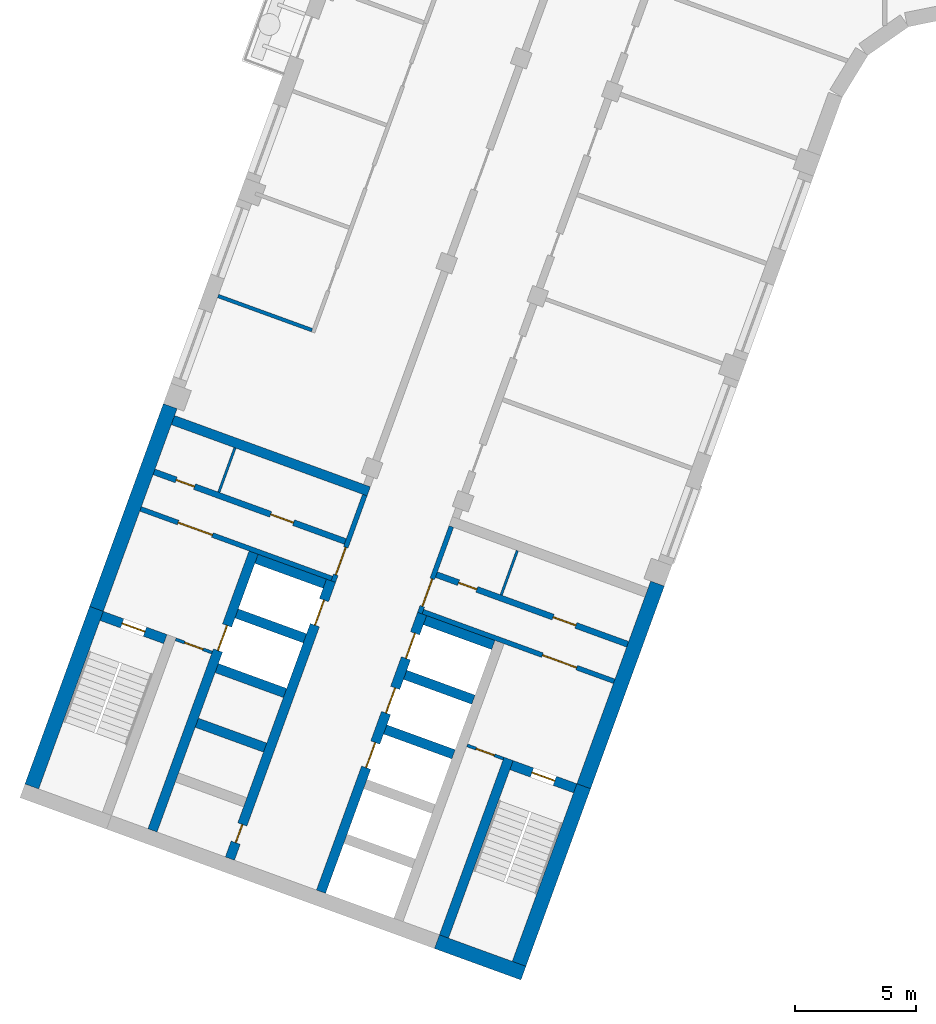
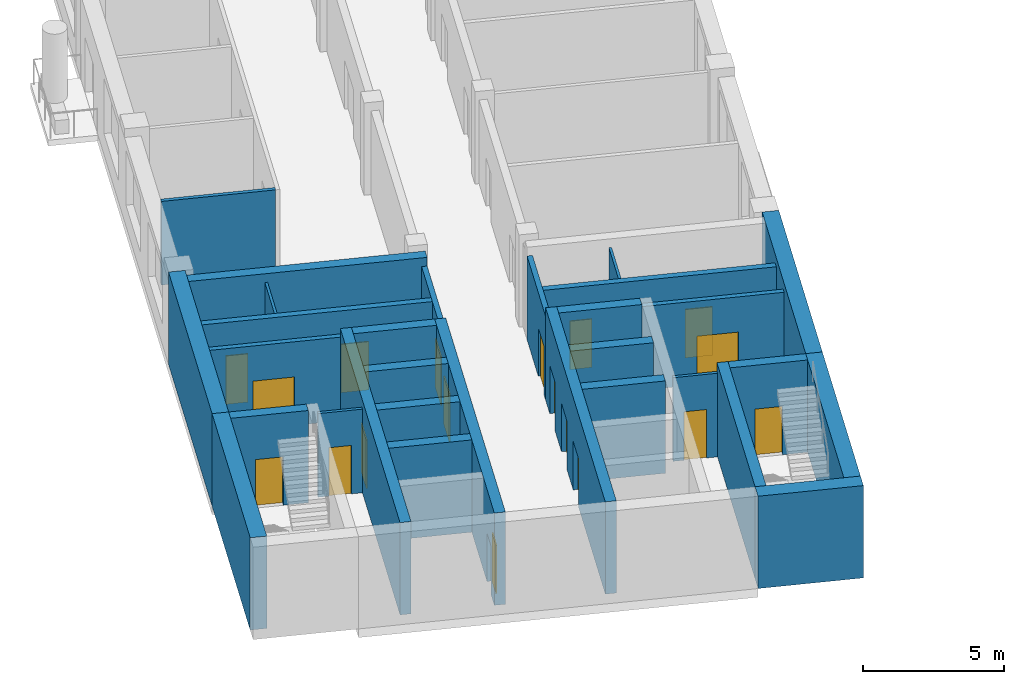
# One storey, part 2 of 15: 30 walls, 18 doors, 18 openings.
"""IFC4 building model written with IfcOpenShell, lengths in metres."""

from ifc_helpers import new_model, si_unit, direction, frame, frame_2d, origin, place, context, subcontext, project, spatial, rectangle, extrude, material, layer, layer_set, type_object, element, fill, save


model = new_model("IFC4")

# Units and contexts
model_context = context("Model", 3, precision=1e-05, world=origin(), true_north=direction((0.0, 1.0)))
body_context = subcontext(model_context, "Body", "Model", "MODEL_VIEW")
ifc_project = project(units=[si_unit("LENGTHUNIT", "METRE"), si_unit("AREAUNIT", "SQUARE_METRE"), si_unit("VOLUMEUNIT", "CUBIC_METRE"), si_unit("PLANEANGLEUNIT", "RADIAN"), si_unit("MASSUNIT", "GRAM", prefix="KILO")], contexts=[model_context])

# Site, building, storey
site_placement = place(None, origin())
site = spatial("IfcSite", under=ifc_project, at=site_placement, CompositionType="ELEMENT")
building_placement = place(site_placement, origin())
building = spatial("IfcBuilding", under=site, at=building_placement, Name="Skarvind Civic Tower", CompositionType="ELEMENT")
storey_placement = place(building_placement, frame((0.0, 0.0, 55.5)))
storey = spatial("IfcBuildingStorey", under=building, at=storey_placement, Name="L12", CompositionType="ELEMENT", Elevation=55.5)

# Wall, opening, door
ifc_material_1 = material(Name="Fire-rated masonry partition", Category="masonry")
ifc_layer_1 = layer(ifc_material_1, 0.199951171875)
ifc_layer_set_1 = layer_set([ifc_layer_1], Name="Core enclosure wall 200")
wall_type_1 = type_object("IfcWallType", Name="Core enclosure wall 200", PredefinedType="PARTITIONING", material=ifc_layer_set_1)
wall_1_placement = place(storey_placement, frame((31.491455078125, 93.693359375, 0.0), z_axis=(0.0, 0.0, 1.0), x_axis=(0.341995824804, 0.939701471648, 0.0)))
wall_1 = element("IfcWall", 1, at=wall_1_placement, inside=storey, type_object=wall_type_1, Name="Core wall C2", PredefinedType="PARTITIONING", context=body_context, shape_type="SweptSolid", body=[
    extrude(rectangle(XDim=3.800048828125, YDim=0.199951171875, at=frame_2d((1.89990234375, 0.0))), origin(), (0.0, 0.0, 1.0), 3.625),
])
opening_1_placement = place(wall_1_placement, frame((0.300048828125, 0.0, 0.0)))
opening_1 = element("IfcOpeningElement", 2, at=opening_1_placement, cuts=wall_1, Name="Opening D-L12-C2-06", PredefinedType="OPENING", context=body_context, shape_type="SweptSolid", body=[
    extrude(rectangle(XDim=1.199951171875, YDim=2.10009765625, at=frame_2d((0.60009765625, 1.050048828125))), frame((0.0, 0.10986328125, 0.0), z_axis=(0.0, -1.0, 0.0), x_axis=(1.0, 0.0, 0.0)), (0.0, 0.0, 1.0), 0.219970703125),
])
ifc_material_2 = material(Name="Fire-rated steel door", Category="steel")
door_type_1 = type_object("IfcDoorType", Name="Core lobby door 1200", OperationType="NOTDEFINED", PredefinedType="DOOR", material=ifc_material_2)
door_1_placement = place(opening_1_placement, origin())
door_1 = element("IfcDoor", 3, at=door_1_placement, inside=storey, type_object=door_type_1, Name="Fire door", OperationType="DOUBLE_DOOR_SINGLE_SWING", OverallHeight=2.10009765625, OverallWidth=1.199951171875, PredefinedType="DOOR", context=body_context, shape_type="SweptSolid", body=[
    extrude(rectangle(XDim=1.199951171875, YDim=2.10009765625, at=frame_2d((0.60009765625, 1.050048828125))), frame((0.0, 0.02490234375, 0.0), z_axis=(0.0, -1.0, 0.0), x_axis=(1.0, 0.0, 0.0)), (0.0, 0.0, 1.0), 0.050048828125),
])
fill(opening_1, door_1)

wall_2_placement = place(storey_placement, frame((23.5380859375, 96.6943359375, 0.0), z_axis=(0.0, 0.0, 1.0), x_axis=(0.939691552312, -0.342023078919, 0.0)))
wall_2 = element("IfcWall", 4, at=wall_2_placement, inside=storey, type_object=wall_type_1, Name="Core wall C2", PredefinedType="PARTITIONING", context=body_context, shape_type="SweptSolid", body=[
    extrude(rectangle(XDim=8.400146484375, YDim=0.199951171875, at=frame_2d((4.2001953125, 0.0))), origin(), (0.0, 0.0, 1.0), 3.625),
])
opening_2_placement = place(wall_2_placement, frame((1.64990234375, 0.0, 0.0)))
opening_2 = element("IfcOpeningElement", 5, at=opening_2_placement, cuts=wall_2, Name="Opening D-L12-C2-07", PredefinedType="OPENING", context=body_context, shape_type="SweptSolid", body=[
    extrude(rectangle(XDim=1.5, YDim=2.10009765625, at=frame_2d((0.75, 1.050048828125))), frame((0.0, 0.10986328125, 0.0), z_axis=(0.0, -1.0, 0.0), x_axis=(1.0, 0.0, 0.0)), (0.0, 0.0, 1.0), 0.219970703125),
])
door_type_2 = type_object("IfcDoorType", Name="Fire door 1500", OperationType="NOTDEFINED", PredefinedType="DOOR", material=ifc_material_2)
door_2_placement = place(opening_2_placement, origin())
door_2 = element("IfcDoor", 6, at=door_2_placement, inside=storey, type_object=door_type_2, Name="Fire door", OperationType="DOUBLE_DOOR_SINGLE_SWING", OverallHeight=2.10009765625, OverallWidth=1.5, PredefinedType="DOOR", context=body_context, shape_type="SweptSolid", body=[
    extrude(rectangle(XDim=1.5, YDim=2.10009765625, at=frame_2d((0.75, 1.050048828125))), frame((0.0, 0.02490234375, 0.0), z_axis=(0.0, -1.0, 0.0), x_axis=(1.0, 0.0, 0.0)), (0.0, 0.0, 1.0), 0.050048828125),
])
fill(opening_2, door_2)

wall_3_placement = place(storey_placement, frame((36.36181640625, 95.96435546875, 0.0), z_axis=(0.0, 0.0, 1.0), x_axis=(-0.341995824804, -0.939701471648, 0.0)))
wall_3 = element("IfcWall", 7, at=wall_3_placement, inside=storey, type_object=wall_type_1, Name="Core wall C2", PredefinedType="PARTITIONING", context=body_context, shape_type="SweptSolid", body=[
    extrude(rectangle(XDim=3.800048828125, YDim=0.199951171875, at=frame_2d((1.89990234375, 0.0))), origin(), (0.0, 0.0, 1.0), 3.625),
])
opening_3_placement = place(wall_3_placement, frame((2.300048828125, 0.0, 0.0)))
opening_3 = element("IfcOpeningElement", 8, at=opening_3_placement, cuts=wall_3, Name="Opening D-L12-C2-12", PredefinedType="OPENING", context=body_context, shape_type="SweptSolid", body=[
    extrude(rectangle(XDim=1.199951171875, YDim=2.10009765625, at=frame_2d((0.60009765625, 1.050048828125))), frame((0.0, 0.10986328125, 0.0), z_axis=(0.0, -1.0, 0.0), x_axis=(1.0, 0.0, 0.0)), (0.0, 0.0, 1.0), 0.219970703125),
])
door_3_placement = place(opening_3_placement, origin())
door_3 = element("IfcDoor", 9, at=door_3_placement, inside=storey, type_object=door_type_1, Name="Fire door", OperationType="DOUBLE_DOOR_SINGLE_SWING", OverallHeight=2.10009765625, OverallWidth=1.199951171875, PredefinedType="DOOR", context=body_context, shape_type="SweptSolid", body=[
    extrude(rectangle(XDim=1.199951171875, YDim=2.10009765625, at=frame_2d((0.60009765625, 1.050048828125))), frame((0.0, 0.02490234375, 0.0), z_axis=(0.0, -1.0, 0.0), x_axis=(1.0, 0.0, 0.0)), (0.0, 0.0, 1.0), 0.050048828125),
])
fill(opening_3, door_3)

wall_4_placement = place(storey_placement, frame((35.1904296875, 92.453369140625, 0.0), z_axis=(0.0, 0.0, 1.0), x_axis=(0.939691552312, -0.342023078919, 0.0)))
wall_4 = element("IfcWall", 10, at=wall_4_placement, inside=storey, type_object=wall_type_1, Name="Core wall C2", PredefinedType="PARTITIONING", context=body_context, shape_type="SweptSolid", body=[
    extrude(rectangle(XDim=8.400146484375, YDim=0.199951171875, at=frame_2d((4.2001953125, 0.0))), origin(), (0.0, 0.0, 1.0), 3.625),
])
opening_4_placement = place(wall_4_placement, frame((5.25, 0.0, 0.0)))
opening_4 = element("IfcOpeningElement", 11, at=opening_4_placement, cuts=wall_4, Name="Opening D-L12-C2-13", PredefinedType="OPENING", context=body_context, shape_type="SweptSolid", body=[
    extrude(rectangle(XDim=1.5, YDim=2.10009765625, at=frame_2d((0.75, 1.050048828125))), frame((0.0, 0.10986328125, 0.0), z_axis=(0.0, -1.0, 0.0), x_axis=(1.0, 0.0, 0.0)), (0.0, 0.0, 1.0), 0.219970703125),
])
door_4_placement = place(opening_4_placement, origin())
door_4 = element("IfcDoor", 12, at=door_4_placement, inside=storey, type_object=door_type_2, Name="Fire door", OperationType="DOUBLE_DOOR_SINGLE_SWING", OverallHeight=2.10009765625, OverallWidth=1.5, PredefinedType="DOOR", context=body_context, shape_type="SweptSolid", body=[
    extrude(rectangle(XDim=1.5, YDim=2.10009765625, at=frame_2d((0.75, 1.050048828125))), frame((0.0, 0.02490234375, 0.0), z_axis=(0.0, -1.0, 0.0), x_axis=(1.0, 0.0, 0.0)), (0.0, 0.0, 1.0), 0.050048828125),
])
fill(opening_4, door_4)

# Walls
ifc_material_3 = material(Name="Fire-rated plasterboard partition")
ifc_layer_2 = layer(ifc_material_3, 0.10009765625)
ifc_layer_set_2 = layer_set([ifc_layer_2], Name="Core partition wall 100")
wall_type_2 = type_object("IfcWallType", Name="Core partition wall 100", PredefinedType="PARTITIONING", material=ifc_layer_set_2)
for number, where, z_axis, x_axis, name in (
    (13, (26.767822265625, 97.381103515625, 0.0), (0.0, 0.0, 1.0), (0.342024501273, 0.939691034611, 0.0), "Core wall C2"),
    (14, (39.087158203125, 94.97265625, 0.0), (0.0, 0.0, 1.0), (-0.342024501273, -0.939691034611, 0.0), "Core wall C2"),
):
    element("IfcWall", number, at=place(storey_placement, frame(where, z_axis=z_axis, x_axis=x_axis)), inside=storey, type_object=wall_type_2, Name=name, PredefinedType="PARTITIONING", context=body_context, shape_type="SweptSolid", body=[
        extrude(rectangle(XDim=1.9501953125, YDim=0.10009765625, at=frame_2d((0.97509765625, 0.0))), origin(), (0.0, 0.0, 1.0), 3.625),
    ])
ifc_material_4 = material(Name="Concrete C80", Category="concrete")
ifc_layer_3 = layer(ifc_material_4, 0.39990234375)
ifc_layer_set_3 = layer_set([ifc_layer_3], Name="Core wall 400 C80")
wall_type_3 = type_object("IfcWallType", Name="Core wall 400 C80", PredefinedType="SHEAR", material=ifc_layer_set_3)
wall_5_placement = place(storey_placement, frame((36.057861328125, 79.04833984375, 0.0), z_axis=(0.0, 0.0, 1.0), x_axis=(0.342016982193, 0.939693771338, 0.0)))
element("IfcWall", 15, at=wall_5_placement, inside=storey, type_object=wall_type_3, Name="Core wall C2 south stair inner L12", PredefinedType="SHEAR", context=body_context, shape_type="SweptSolid", body=[
    extrude(rectangle(XDim=7.800048828125, YDim=0.39990234375, at=frame_2d((3.89990234375, 0.0))), origin(), (0.0, 0.0, 1.0), 4.0),
])

# Wall, opening, door
wall_6_placement = place(storey_placement, frame((41.476318359375, 85.163818359375, 0.0), z_axis=(0.0, 0.0, 1.0), x_axis=(-0.939678810556, 0.342058084236, 0.0)))
wall_6 = element("IfcWall", 16, at=wall_6_placement, inside=storey, type_object=wall_type_3, Name="Core wall C2 south stair end L12", PredefinedType="SHEAR", context=body_context, shape_type="SweptSolid", body=[
    extrude(rectangle(XDim=2.800048828125, YDim=0.39990234375, at=frame_2d((1.39990234375, 0.0))), origin(), (0.0, 0.0, 1.0), 4.0),
])
opening_5_placement = place(wall_6_placement, frame((0.89990234375, 0.0, 0.0)))
opening_5 = element("IfcOpeningElement", 17, at=opening_5_placement, cuts=wall_6, Name="Opening D-L12-C2-14", PredefinedType="OPENING", context=body_context, shape_type="SweptSolid", body=[
    extrude(rectangle(XDim=1.0, YDim=2.10009765625, at=frame_2d((0.5, 1.050048828125))), frame((0.0, 0.2099609375, 0.0), z_axis=(0.0, -1.0, 0.0), x_axis=(1.0, 0.0, 0.0)), (0.0, 0.0, 1.0), 0.419921875),
])
door_type_3 = type_object("IfcDoorType", Name="Fire door 1000", OperationType="NOTDEFINED", PredefinedType="DOOR", material=ifc_material_2)
door_5_placement = place(opening_5_placement, origin())
door_5 = element("IfcDoor", 18, at=door_5_placement, inside=storey, type_object=door_type_3, Name="Fire door", OperationType="SINGLE_SWING_RIGHT", OverallHeight=2.10009765625, OverallWidth=1.0, PredefinedType="DOOR", context=body_context, shape_type="SweptSolid", body=[
    extrude(rectangle(XDim=1.0, YDim=2.10009765625, at=frame_2d((0.5, 1.050048828125))), frame((0.0, 0.02490234375, 0.0), z_axis=(0.0, -1.0, 0.0), x_axis=(1.0, 0.0, 0.0)), (0.0, 0.0, 1.0), 0.050048828125),
])
fill(opening_5, door_5)

wall_7_placement = place(storey_placement, frame((24.56201171875, 91.3203125, 0.0), z_axis=(0.0, 0.0, 1.0), x_axis=(-0.939717030584, 0.341953070509, 0.0)))
wall_7 = element("IfcWall", 19, at=wall_7_placement, inside=storey, type_object=wall_type_3, Name="Core wall C2 north stair end L12", PredefinedType="SHEAR", context=body_context, shape_type="SweptSolid", body=[
    extrude(rectangle(XDim=2.800048828125, YDim=0.39990234375, at=frame_2d((1.39990234375, 0.0))), origin(), (0.0, 0.0, 1.0), 4.0),
])
opening_6_placement = place(wall_7_placement, frame((0.89990234375, 0.0, 0.0)))
opening_6 = element("IfcOpeningElement", 20, at=opening_6_placement, cuts=wall_7, Name="Opening D-L12-C2-08", PredefinedType="OPENING", context=body_context, shape_type="SweptSolid", body=[
    extrude(rectangle(XDim=1.0, YDim=2.10009765625, at=frame_2d((0.5, 1.050048828125))), frame((0.0, 0.2099609375, 0.0), z_axis=(0.0, -1.0, 0.0), x_axis=(1.0, 0.0, 0.0)), (0.0, 0.0, 1.0), 0.419921875),
])
door_6_placement = place(opening_6_placement, origin())
door_6 = element("IfcDoor", 21, at=door_6_placement, inside=storey, type_object=door_type_3, Name="Fire door", OperationType="SINGLE_SWING_LEFT", OverallHeight=2.10009765625, OverallWidth=1.0, PredefinedType="DOOR", context=body_context, shape_type="SweptSolid", body=[
    extrude(rectangle(XDim=1.0, YDim=2.10009765625, at=frame_2d((0.5, 1.050048828125))), frame((0.0, 0.02490234375, 0.0), z_axis=(0.0, -1.0, 0.0), x_axis=(1.0, 0.0, 0.0)), (0.0, 0.0, 1.0), 0.050048828125),
])
fill(opening_6, door_6)

# Wall, openings, doors
wall_8_placement = place(storey_placement, frame((30.983642578125, 80.895263671875, 0.0), z_axis=(0.0, 0.0, 1.0), x_axis=(0.342021021735, 0.939692301071, 0.0)))
wall_8 = element("IfcWall", 22, at=wall_8_placement, inside=storey, type_object=wall_type_3, Name="Core wall C2 south lift row front L12", PredefinedType="SHEAR", context=body_context, shape_type="SweptSolid", body=[
    extrude(rectangle(XDim=12.199951171875, YDim=0.39990234375, at=frame_2d((6.10009765625, 0.0))), origin(), (0.0, 0.0, 1.0), 4.0),
])
opening_7_placement = place(wall_8_placement, frame((5.449951171875, 0.0, 0.0)))
opening_7 = element("IfcOpeningElement", 23, at=opening_7_placement, cuts=wall_8, Name="Opening LD14208", PredefinedType="OPENING", context=body_context, shape_type="SweptSolid", body=[
    extrude(rectangle(XDim=1.10009765625, YDim=2.10009765625, at=frame_2d((0.550048828125, 1.050048828125))), frame((0.0, 0.2099609375, 0.0), z_axis=(0.0, -1.0, 0.0), x_axis=(1.0, 0.0, 0.0)), (0.0, 0.0, 1.0), 0.419921875),
])
opening_8_placement = place(wall_8_placement, frame((7.85009765625, 0.0, 0.0)))
opening_8 = element("IfcOpeningElement", 24, at=opening_8_placement, cuts=wall_8, Name="Opening LD14209", PredefinedType="OPENING", context=body_context, shape_type="SweptSolid", body=[
    extrude(rectangle(XDim=1.10009765625, YDim=2.10009765625, at=frame_2d((0.550048828125, 1.050048828125))), frame((0.0, 0.2099609375, 0.0), z_axis=(0.0, -1.0, 0.0), x_axis=(1.0, 0.0, 0.0)), (0.0, 0.0, 1.0), 0.419921875),
])
opening_9_placement = place(wall_8_placement, frame((10.25, 0.0, 0.0)))
opening_9 = element("IfcOpeningElement", 25, at=opening_9_placement, cuts=wall_8, Name="Opening LD14210", PredefinedType="OPENING", context=body_context, shape_type="SweptSolid", body=[
    extrude(rectangle(XDim=1.10009765625, YDim=2.10009765625, at=frame_2d((0.550048828125, 1.050048828125))), frame((0.0, 0.2099609375, 0.0), z_axis=(0.0, -1.0, 0.0), x_axis=(1.0, 0.0, 0.0)), (0.0, 0.0, 1.0), 0.419921875),
])
ifc_material_5 = material(Name="Stainless steel landing door", Category="steel")
door_type_4 = type_object("IfcDoorType", Name="Lift landing door 1100", OperationType="DOUBLE_DOOR_SLIDING", PredefinedType="DOOR", material=ifc_material_5)
door_7_placement = place(opening_7_placement, origin())
door_7 = element("IfcDoor", 26, at=door_7_placement, inside=storey, type_object=door_type_4, Name="Lift landing door", OperationType="DOUBLE_DOOR_SLIDING", OverallHeight=2.10009765625, OverallWidth=1.10009765625, PredefinedType="DOOR", context=body_context, shape_type="SweptSolid", body=[
    extrude(rectangle(XDim=1.10009765625, YDim=2.10009765625, at=frame_2d((0.550048828125, 1.050048828125))), frame((0.0, 0.02490234375, 0.0), z_axis=(0.0, -1.0, 0.0), x_axis=(1.0, 0.0, 0.0)), (0.0, 0.0, 1.0), 0.050048828125),
])
fill(opening_7, door_7)
door_8_placement = place(opening_8_placement, origin())
door_8 = element("IfcDoor", 27, at=door_8_placement, inside=storey, type_object=door_type_4, Name="Lift landing door", OperationType="DOUBLE_DOOR_SLIDING", OverallHeight=2.10009765625, OverallWidth=1.10009765625, PredefinedType="DOOR", context=body_context, shape_type="SweptSolid", body=[
    extrude(rectangle(XDim=1.10009765625, YDim=2.10009765625, at=frame_2d((0.550048828125, 1.050048828125))), frame((0.0, 0.02490234375, 0.0), z_axis=(0.0, -1.0, 0.0), x_axis=(1.0, 0.0, 0.0)), (0.0, 0.0, 1.0), 0.050048828125),
])
fill(opening_8, door_8)
door_9_placement = place(opening_9_placement, origin())
door_9 = element("IfcDoor", 28, at=door_9_placement, inside=storey, type_object=door_type_4, Name="Lift landing door", OperationType="DOUBLE_DOOR_SLIDING", OverallHeight=2.10009765625, OverallWidth=1.10009765625, PredefinedType="DOOR", context=body_context, shape_type="SweptSolid", body=[
    extrude(rectangle(XDim=1.10009765625, YDim=2.10009765625, at=frame_2d((0.550048828125, 1.050048828125))), frame((0.0, 0.02490234375, 0.0), z_axis=(0.0, -1.0, 0.0), x_axis=(1.0, 0.0, 0.0)), (0.0, 0.0, 1.0), 0.050048828125),
])
fill(opening_9, door_9)

# Walls
for number, where, z_axis, x_axis, name in (
    (29, (36.453125, 86.56640625, 0.0), (0.0, 0.0, 1.0), (-0.939686455819, 0.342037080957, 0.0), "Core wall C2 south lift row division 3 L12"),
    (30, (37.27392578125, 88.82177734375, 0.0), (0.0, 0.0, 1.0), (-0.939686455819, 0.342037080957, 0.0), "Core wall C2 south lift row division 4 L12"),
):
    element("IfcWall", number, at=place(storey_placement, frame(where, z_axis=z_axis, x_axis=x_axis)), inside=storey, type_object=wall_type_3, Name=name, PredefinedType="SHEAR", context=body_context, shape_type="SweptSolid", body=[
        extrude(rectangle(XDim=3.0, YDim=0.39990234375, at=frame_2d((1.5, 0.0))), origin(), (0.0, 0.0, 1.0), 4.0),
    ])
wall_9_placement = place(storey_placement, frame((38.0947265625, 91.076904296875, 0.0), z_axis=(0.0, 0.0, 1.0), x_axis=(-0.939676934218, 0.342063238742, 0.0)))
element("IfcWall", 31, at=wall_9_placement, inside=storey, type_object=wall_type_3, Name="Core wall C2 south lift row division 5 L12", PredefinedType="SHEAR", context=body_context, shape_type="SweptSolid", body=[
    extrude(rectangle(XDim=2.999755859375, YDim=0.39990234375, at=frame_2d((1.5, 0.0))), origin(), (0.0, 0.0, 1.0), 4.0),
])

# Wall, openings, doors
wall_10_placement = place(storey_placement, frame((27.224853515625, 82.26318359375, 0.0), z_axis=(0.0, 0.0, 1.0), x_axis=(0.342014590177, 0.939694641948, 0.0)))
wall_10 = element("IfcWall", 32, at=wall_10_placement, inside=storey, type_object=wall_type_3, Name="Core wall C2 north lift row front L12", PredefinedType="SHEAR", context=body_context, shape_type="SweptSolid", body=[
    extrude(rectangle(XDim=12.2001953125, YDim=0.39990234375, at=frame_2d((6.10009765625, 0.0))), origin(), (0.0, 0.0, 1.0), 4.0),
])
opening_10_placement = place(wall_10_placement, frame((10.25, 0.0, 0.0)))
opening_10 = element("IfcOpeningElement", 33, at=opening_10_placement, cuts=wall_10, Name="Opening LD14205", PredefinedType="OPENING", context=body_context, shape_type="SweptSolid", body=[
    extrude(rectangle(XDim=1.10009765625, YDim=2.10009765625, at=frame_2d((0.550048828125, 1.050048828125))), frame((0.0, 0.2099609375, 0.0), z_axis=(0.0, -1.0, 0.0), x_axis=(1.0, 0.0, 0.0)), (0.0, 0.0, 1.0), 0.419921875),
])
opening_11_placement = place(wall_10_placement, frame((0.699951171875, 0.0, 0.0)))
opening_11 = element("IfcOpeningElement", 34, at=opening_11_placement, cuts=wall_10, Name="Opening D-L12-C2-05", PredefinedType="OPENING", context=body_context, shape_type="SweptSolid", body=[
    extrude(rectangle(XDim=0.800048828125, YDim=2.10009765625, at=frame_2d((0.39990234375, 1.050048828125))), frame((0.0, 0.2099609375, 0.0), z_axis=(0.0, -1.0, 0.0), x_axis=(1.0, 0.0, 0.0)), (0.0, 0.0, 1.0), 0.419921875),
])
door_type_5 = type_object("IfcDoorType", Name="Core riser door 800", OperationType="NOTDEFINED", PredefinedType="DOOR", material=ifc_material_2)
door_10_placement = place(opening_11_placement, origin())
door_10 = element("IfcDoor", 35, at=door_10_placement, inside=storey, type_object=door_type_5, Name="Riser door", OperationType="SINGLE_SWING_LEFT", OverallHeight=2.10009765625, OverallWidth=0.800048828125, PredefinedType="DOOR", context=body_context, shape_type="SweptSolid", body=[
    extrude(rectangle(XDim=0.800048828125, YDim=2.10009765625, at=frame_2d((0.39990234375, 1.050048828125))), frame((0.0, 0.02490234375, 0.0), z_axis=(0.0, -1.0, 0.0), x_axis=(1.0, 0.0, 0.0)), (0.0, 0.0, 1.0), 0.050048828125),
])
fill(opening_11, door_10)
door_11_placement = place(opening_10_placement, origin())
door_11 = element("IfcDoor", 36, at=door_11_placement, inside=storey, type_object=door_type_4, Name="Lift landing door", OperationType="DOUBLE_DOOR_SLIDING", OverallHeight=2.10009765625, OverallWidth=1.10009765625, PredefinedType="DOOR", context=body_context, shape_type="SweptSolid", body=[
    extrude(rectangle(XDim=1.10009765625, YDim=2.10009765625, at=frame_2d((0.550048828125, 1.050048828125))), frame((0.0, 0.02490234375, 0.0), z_axis=(0.0, -1.0, 0.0), x_axis=(1.0, 0.0, 0.0)), (0.0, 0.0, 1.0), 0.050048828125),
])
fill(opening_10, door_11)

# Wall, opening, door
wall_11_placement = place(storey_placement, frame((24.02978515625, 83.426025390625, 0.0), z_axis=(0.0, 0.0, 1.0), x_axis=(0.342014590177, 0.939694641948, 0.0)))
wall_11 = element("IfcWall", 37, at=wall_11_placement, inside=storey, type_object=wall_type_3, Name="Core wall C2 north lift row back L12", PredefinedType="SHEAR", context=body_context, shape_type="SweptSolid", body=[
    extrude(rectangle(XDim=12.2001953125, YDim=0.39990234375, at=frame_2d((6.10009765625, 0.0))), origin(), (0.0, 0.0, 1.0), 4.0),
])
opening_12_placement = place(wall_11_placement, frame((7.89990234375, 0.0, 0.0)))
opening_12 = element("IfcOpeningElement", 38, at=opening_12_placement, cuts=wall_11, Name="Opening LD14204", PredefinedType="OPENING", context=body_context, shape_type="SweptSolid", body=[
    extrude(rectangle(XDim=1.10009765625, YDim=2.10009765625, at=frame_2d((0.550048828125, 1.050048828125))), frame((0.0, 0.2099609375, 0.0), z_axis=(0.0, -1.0, 0.0), x_axis=(1.0, 0.0, 0.0)), (0.0, 0.0, 1.0), 0.419921875),
])
door_12_placement = place(opening_12_placement, origin())
door_12 = element("IfcDoor", 39, at=door_12_placement, inside=storey, type_object=door_type_4, Name="Lift landing door", OperationType="DOUBLE_DOOR_SLIDING", OverallHeight=2.10009765625, OverallWidth=1.10009765625, PredefinedType="DOOR", context=body_context, shape_type="SweptSolid", body=[
    extrude(rectangle(XDim=1.10009765625, YDim=2.10009765625, at=frame_2d((0.550048828125, 1.050048828125))), frame((0.0, 0.02490234375, 0.0), z_axis=(0.0, -1.0, 0.0), x_axis=(1.0, 0.0, 0.0)), (0.0, 0.0, 1.0), 0.050048828125),
])
fill(opening_12, door_12)

# Walls
wall_12_placement = place(storey_placement, frame((28.678466796875, 86.842041015625, 0.0), z_axis=(0.0, 0.0, 1.0), x_axis=(-0.939676934218, 0.342063238742, 0.0)))
element("IfcWall", 40, at=wall_12_placement, inside=storey, type_object=wall_type_3, Name="Core wall C2 north lift row division 2 L12", PredefinedType="SHEAR", context=body_context, shape_type="SweptSolid", body=[
    extrude(rectangle(XDim=2.999755859375, YDim=0.39990234375, at=frame_2d((1.5, 0.0))), origin(), (0.0, 0.0, 1.0), 4.0),
])
for number, where, z_axis, x_axis, name in (
    (41, (29.49951171875, 89.097412109375, 0.0), (0.0, 0.0, 1.0), (-0.939686455819, 0.342037080957, 0.0), "Core wall C2 north lift row division 3 L12"),
    (42, (30.3203125, 91.352783203125, 0.0), (0.0, 0.0, 1.0), (-0.939712609717, 0.341965219194, 0.0), "Core wall C2 north lift row division 4 L12"),
    (43, (31.14111328125, 93.60791015625, 0.0), (0.0, 0.0, 1.0), (-0.939686455819, 0.342037080957, 0.0), "Core wall C2 north lift row division 5 L12"),
):
    element("IfcWall", number, at=place(storey_placement, frame(where, z_axis=z_axis, x_axis=x_axis)), inside=storey, type_object=wall_type_3, Name=name, PredefinedType="SHEAR", context=body_context, shape_type="SweptSolid", body=[
        extrude(rectangle(XDim=3.0, YDim=0.39990234375, at=frame_2d((1.5, 0.0))), origin(), (0.0, 0.0, 1.0), 4.0),
    ])
wall_13_placement = place(storey_placement, frame((32.953369140625, 97.417724609375, 0.0), z_axis=(0.0, 0.0, 1.0), x_axis=(-0.93969060187, 0.342025690201, 0.0)))
element("IfcWall", 44, at=wall_13_placement, inside=storey, type_object=wall_type_3, Name="Core wall C2 north inner face L12", PredefinedType="SHEAR", context=body_context, shape_type="SweptSolid", body=[
    extrude(rectangle(XDim=8.599853515625, YDim=0.39990234375, at=frame_2d((4.2998046875, 0.0))), origin(), (0.0, 0.0, 1.0), 4.0),
])
ifc_layer_4 = layer(ifc_material_4, 0.60009765625)
ifc_layer_set_4 = layer_set([ifc_layer_4], Name="Core wall 600 C80")
wall_type_4 = type_object("IfcWallType", Name="Core wall 600 C80", PredefinedType="SHEAR", material=ifc_layer_set_4)
wall_14_placement = place(storey_placement, frame((39.338134765625, 77.53515625, 0.0), z_axis=(0.0, 0.0, 1.0), x_axis=(-0.939701471648, 0.341995824804, 0.0)))
element("IfcWall", 45, at=wall_14_placement, inside=storey, type_object=wall_type_4, Name="Core wall C2 tip at the south stair L12", PredefinedType="SHEAR", context=body_context, shape_type="SweptSolid", body=[
    extrude(rectangle(XDim=3.800048828125, YDim=0.60009765625, at=frame_2d((1.89990234375, 0.0))), origin(), (0.0, 0.0, 1.0), 4.0),
])
for number, where, z_axis, x_axis, name in (
    (46, (39.158935546875, 77.919677734375, 0.0), (0.0, 0.0, 1.0), (0.342016982193, 0.939693771338, 0.0), "Core wall C2 south side at the stair L12"),
    (47, (19.049560546875, 85.23876953125, 0.0), (0.0, 0.0, 1.0), (0.342016982193, 0.939693771338, 0.0), "Core wall C2 north side at the stair L12"),
):
    element("IfcWall", number, at=place(storey_placement, frame(where, z_axis=z_axis, x_axis=x_axis)), inside=storey, type_object=wall_type_4, Name=name, PredefinedType="SHEAR", context=body_context, shape_type="SweptSolid", body=[
        extrude(rectangle(XDim=7.800048828125, YDim=0.60009765625, at=frame_2d((3.89990234375, 0.0))), origin(), (0.0, 0.0, 1.0), 4.0),
    ])
for number, where, z_axis, x_axis, name in (
    (48, (41.82666015625, 85.249267578125, 0.0), (0.0, 0.0, 1.0), (0.342016162452, 0.939694069696, 0.0), "Core wall C2 south side L12"),
    (49, (21.71728515625, 92.568359375, 0.0), (0.0, 0.0, 1.0), (0.342016162452, 0.939694069696, 0.0), "Core wall C2 north side L12"),
):
    element("IfcWall", number, at=place(storey_placement, frame(where, z_axis=z_axis, x_axis=x_axis)), inside=storey, type_object=wall_type_4, Name=name, PredefinedType="SHEAR", context=body_context, shape_type="SweptSolid", body=[
        extrude(rectangle(XDim=8.89990234375, YDim=0.60009765625, at=frame_2d((4.449951171875, 0.0))), origin(), (0.0, 0.0, 1.0), 4.0),
    ])
ifc_material_6 = material(Name="Plasterboard partition on steel studs", Category="steel")
ifc_layer_5 = layer(ifc_material_6, 0.14990234375)
ifc_layer_set_5 = layer_set([ifc_layer_5], Name="PARTITION 150")
wall_type_5 = type_object("IfcWallType", Name="PARTITION 150", PredefinedType="PARTITIONING", material=ifc_layer_set_5)
wall_15_placement = place(storey_placement, frame((26.736083984375, 105.47998046875, 0.0), z_axis=(0.0, 0.0, 1.0), x_axis=(0.939784783713, -0.341766821533, 0.0)))
element("IfcWall", 50, at=wall_15_placement, inside=storey, type_object=wall_type_5, Name="Partition 12.001", PredefinedType="PARTITIONING", context=body_context, shape_type="SweptSolid", body=[
    extrude(rectangle(XDim=4.125244140625, YDim=0.14990234375, at=frame_2d((2.0625, 0.0))), origin(), (0.0, 0.0, 1.0), 3.625),
])

# Wall, opening, door
ifc_layer_6 = layer(ifc_material_1, 0.125)
ifc_layer_set_6 = layer_set([ifc_layer_6], Name="Riser wall 125")
wall_type_6 = type_object("IfcWallType", Name="Riser wall 125", PredefinedType="PARTITIONING", material=ifc_layer_set_6)
wall_16_placement = place(storey_placement, frame((24.98486328125, 91.3125, 0.0), z_axis=(0.0, 0.0, 1.0), x_axis=(0.939708740826, -0.341975850632, 0.0)))
wall_16 = element("IfcWall", 51, at=wall_16_placement, inside=storey, type_object=wall_type_6, Name="Core wall C2", PredefinedType="PARTITIONING", context=body_context, shape_type="SweptSolid", body=[
    extrude(rectangle(XDim=1.599853515625, YDim=0.125, at=frame_2d((0.7998046875, 0.0))), origin(), (0.0, 0.0, 1.0), 3.625),
])
opening_13_placement = place(wall_16_placement, frame((0.39990234375, 0.0, 0.0)))
opening_13 = element("IfcOpeningElement", 52, at=opening_13_placement, cuts=wall_16, Name="Opening D-L12-C2-09", PredefinedType="OPENING", context=body_context, shape_type="SweptSolid", body=[
    extrude(rectangle(XDim=0.800048828125, YDim=2.10009765625, at=frame_2d((0.39990234375, 1.050048828125))), frame((0.0, 0.072509765625, 0.0), z_axis=(0.0, -1.0, 0.0), x_axis=(1.0, 0.0, 0.0)), (0.0, 0.0, 1.0), 0.14501953125),
])
door_13_placement = place(opening_13_placement, origin())
door_13 = element("IfcDoor", 53, at=door_13_placement, inside=storey, type_object=door_type_5, Name="Riser door", OperationType="SINGLE_SWING_RIGHT", OverallHeight=2.10009765625, OverallWidth=0.800048828125, PredefinedType="DOOR", context=body_context, shape_type="SweptSolid", body=[
    extrude(rectangle(XDim=0.800048828125, YDim=2.10009765625, at=frame_2d((0.39990234375, 1.050048828125))), frame((0.0, 0.02490234375, 0.0), z_axis=(0.0, -1.0, 0.0), x_axis=(1.0, 0.0, 0.0)), (0.0, 0.0, 1.0), 0.050048828125),
])
fill(opening_13, door_13)

wall_17_placement = place(storey_placement, frame((37.012939453125, 86.934814453125, 0.0), z_axis=(0.0, 0.0, 1.0), x_axis=(0.939659694648, -0.342110593602, 0.0)))
wall_17 = element("IfcWall", 54, at=wall_17_placement, inside=storey, type_object=wall_type_6, Name="Core wall C2", PredefinedType="PARTITIONING", context=body_context, shape_type="SweptSolid", body=[
    extrude(rectangle(XDim=1.599853515625, YDim=0.125, at=frame_2d((0.7998046875, 0.0))), origin(), (0.0, 0.0, 1.0), 3.625),
])
opening_14_placement = place(wall_17_placement, frame((0.39990234375, 0.0, 0.0)))
opening_14 = element("IfcOpeningElement", 55, at=opening_14_placement, cuts=wall_17, Name="Opening D-L12-C2-15", PredefinedType="OPENING", context=body_context, shape_type="SweptSolid", body=[
    extrude(rectangle(XDim=0.800048828125, YDim=2.10009765625, at=frame_2d((0.39990234375, 1.050048828125))), frame((0.0, 0.072509765625, 0.0), z_axis=(0.0, -1.0, 0.0), x_axis=(1.0, 0.0, 0.0)), (0.0, 0.0, 1.0), 0.14501953125),
])
door_14_placement = place(opening_14_placement, origin())
door_14 = element("IfcDoor", 56, at=door_14_placement, inside=storey, type_object=door_type_5, Name="Riser door", OperationType="SINGLE_SWING_LEFT", OverallHeight=2.10009765625, OverallWidth=0.800048828125, PredefinedType="DOOR", context=body_context, shape_type="SweptSolid", body=[
    extrude(rectangle(XDim=0.800048828125, YDim=2.10009765625, at=frame_2d((0.39990234375, 1.050048828125))), frame((0.0, 0.02490234375, 0.0), z_axis=(0.0, -1.0, 0.0), x_axis=(1.0, 0.0, 0.0)), (0.0, 0.0, 1.0), 0.050048828125),
])
fill(opening_14, door_14)

# Wall, openings, doors
ifc_layer_7 = layer(ifc_material_1, 0.25)
ifc_layer_set_7 = layer_set([ifc_layer_7], Name="Service block wall 250")
wall_type_7 = type_object("IfcWallType", Name="Service block wall 250", PredefinedType="PARTITIONING", material=ifc_layer_set_7)
wall_18_placement = place(storey_placement, frame((24.093994140625, 98.221435546875, 0.0), z_axis=(0.0, 0.0, 1.0), x_axis=(0.939691552312, -0.342023078919, 0.0)))
wall_18 = element("IfcWall", 57, at=wall_18_placement, inside=storey, type_object=wall_type_7, Name="Core wall C2", PredefinedType="PARTITIONING", context=body_context, shape_type="SweptSolid", body=[
    extrude(rectangle(XDim=8.400146484375, YDim=0.25, at=frame_2d((4.2001953125, 0.0))), origin(), (0.0, 0.0, 1.0), 3.625),
])
opening_15_placement = place(wall_18_placement, frame((5.125, 0.0, 0.0)))
opening_15 = element("IfcOpeningElement", 58, at=opening_15_placement, cuts=wall_18, Name="Opening D-L12-C2-10", PredefinedType="OPENING", context=body_context, shape_type="SweptSolid", body=[
    extrude(rectangle(XDim=1.0, YDim=2.10009765625, at=frame_2d((0.5, 1.050048828125))), frame((0.0, 0.135009765625, 0.0), z_axis=(0.0, -1.0, 0.0), x_axis=(1.0, 0.0, 0.0)), (0.0, 0.0, 1.0), 0.27001953125),
])
opening_16_placement = place(wall_18_placement, frame((0.97509765625, 0.0, 0.0)))
opening_16 = element("IfcOpeningElement", 59, at=opening_16_placement, cuts=wall_18, Name="Opening D-L12-C2-11", PredefinedType="OPENING", context=body_context, shape_type="SweptSolid", body=[
    extrude(rectangle(XDim=0.800048828125, YDim=2.10009765625, at=frame_2d((0.39990234375, 1.050048828125))), frame((0.0, 0.135009765625, 0.0), z_axis=(0.0, -1.0, 0.0), x_axis=(1.0, 0.0, 0.0)), (0.0, 0.0, 1.0), 0.27001953125),
])
door_15_placement = place(opening_16_placement, origin())
door_15 = element("IfcDoor", 60, at=door_15_placement, inside=storey, type_object=door_type_5, Name="Riser door", OperationType="SINGLE_SWING_RIGHT", OverallHeight=2.10009765625, OverallWidth=0.800048828125, PredefinedType="DOOR", context=body_context, shape_type="SweptSolid", body=[
    extrude(rectangle(XDim=0.800048828125, YDim=2.10009765625, at=frame_2d((0.39990234375, 1.050048828125))), frame((0.0, 0.02490234375, 0.0), z_axis=(0.0, -1.0, 0.0), x_axis=(1.0, 0.0, 0.0)), (0.0, 0.0, 1.0), 0.050048828125),
])
fill(opening_16, door_15)
door_16_placement = place(opening_15_placement, origin())
door_16 = element("IfcDoor", 61, at=door_16_placement, inside=storey, type_object=door_type_3, Name="Fire door", OperationType="SINGLE_SWING_LEFT", OverallHeight=2.10009765625, OverallWidth=1.0, PredefinedType="DOOR", context=body_context, shape_type="SweptSolid", body=[
    extrude(rectangle(XDim=1.0, YDim=2.10009765625, at=frame_2d((0.5, 1.050048828125))), frame((0.0, 0.02490234375, 0.0), z_axis=(0.0, -1.0, 0.0), x_axis=(1.0, 0.0, 0.0)), (0.0, 0.0, 1.0), 0.050048828125),
])
fill(opening_15, door_16)

wall_19_placement = place(storey_placement, frame((35.74609375, 93.98046875, 0.0), z_axis=(0.0, 0.0, 1.0), x_axis=(0.939691552312, -0.342023078919, 0.0)))
wall_19 = element("IfcWall", 62, at=wall_19_placement, inside=storey, type_object=wall_type_7, Name="Core wall C2", PredefinedType="PARTITIONING", context=body_context, shape_type="SweptSolid", body=[
    extrude(rectangle(XDim=8.400146484375, YDim=0.25, at=frame_2d((4.2001953125, 0.0))), origin(), (0.0, 0.0, 1.0), 3.625),
])
opening_17_placement = place(wall_19_placement, frame((0.97509765625, 0.0, 0.0)))
opening_17 = element("IfcOpeningElement", 63, at=opening_17_placement, cuts=wall_19, Name="Opening D-L12-C2-16", PredefinedType="OPENING", context=body_context, shape_type="SweptSolid", body=[
    extrude(rectangle(XDim=0.800048828125, YDim=2.10009765625, at=frame_2d((0.39990234375, 1.050048828125))), frame((0.0, 0.135009765625, 0.0), z_axis=(0.0, -1.0, 0.0), x_axis=(1.0, 0.0, 0.0)), (0.0, 0.0, 1.0), 0.27001953125),
])
opening_18_placement = place(wall_19_placement, frame((5.125, 0.0, 0.0)))
opening_18 = element("IfcOpeningElement", 64, at=opening_18_placement, cuts=wall_19, Name="Opening D-L12-C2-17", PredefinedType="OPENING", context=body_context, shape_type="SweptSolid", body=[
    extrude(rectangle(XDim=1.0, YDim=2.10009765625, at=frame_2d((0.5, 1.050048828125))), frame((0.0, 0.135009765625, 0.0), z_axis=(0.0, -1.0, 0.0), x_axis=(1.0, 0.0, 0.0)), (0.0, 0.0, 1.0), 0.27001953125),
])
door_17_placement = place(opening_17_placement, origin())
door_17 = element("IfcDoor", 65, at=door_17_placement, inside=storey, type_object=door_type_5, Name="Riser door", OperationType="SINGLE_SWING_RIGHT", OverallHeight=2.10009765625, OverallWidth=0.800048828125, PredefinedType="DOOR", context=body_context, shape_type="SweptSolid", body=[
    extrude(rectangle(XDim=0.800048828125, YDim=2.10009765625, at=frame_2d((0.39990234375, 1.050048828125))), frame((0.0, 0.02490234375, 0.0), z_axis=(0.0, -1.0, 0.0), x_axis=(1.0, 0.0, 0.0)), (0.0, 0.0, 1.0), 0.050048828125),
])
fill(opening_17, door_17)
door_18_placement = place(opening_18_placement, origin())
door_18 = element("IfcDoor", 66, at=door_18_placement, inside=storey, type_object=door_type_3, Name="Fire door", OperationType="SINGLE_SWING_LEFT", OverallHeight=2.10009765625, OverallWidth=1.0, PredefinedType="DOOR", context=body_context, shape_type="SweptSolid", body=[
    extrude(rectangle(XDim=1.0, YDim=2.10009765625, at=frame_2d((0.5, 1.050048828125))), frame((0.0, 0.02490234375, 0.0), z_axis=(0.0, -1.0, 0.0), x_axis=(1.0, 0.0, 0.0)), (0.0, 0.0, 1.0), 0.050048828125),
])
fill(opening_18, door_18)

save(model, "model.ifc")
